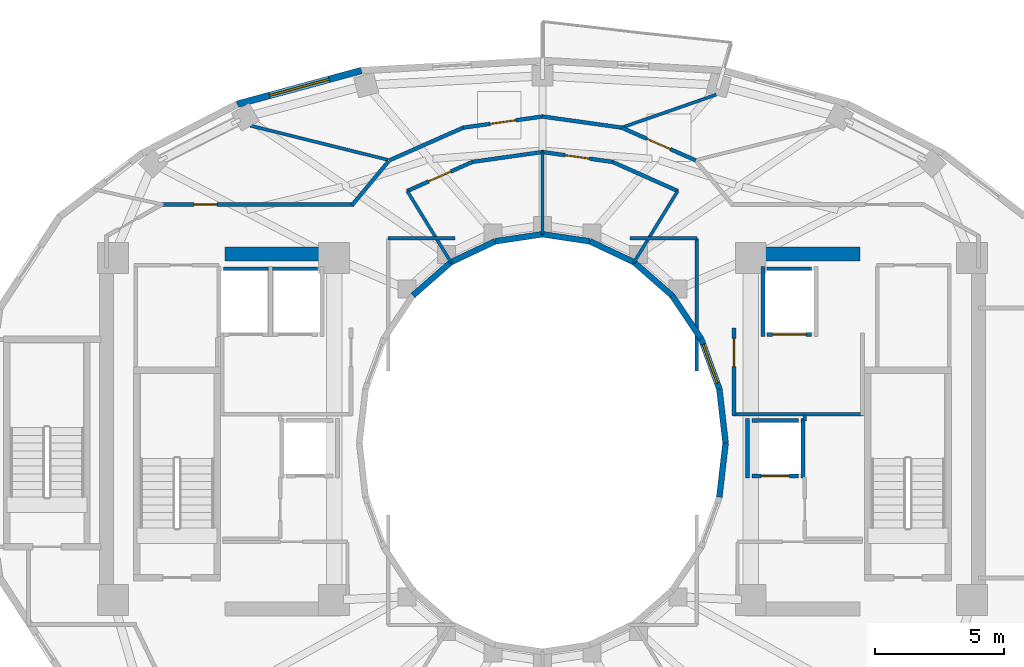
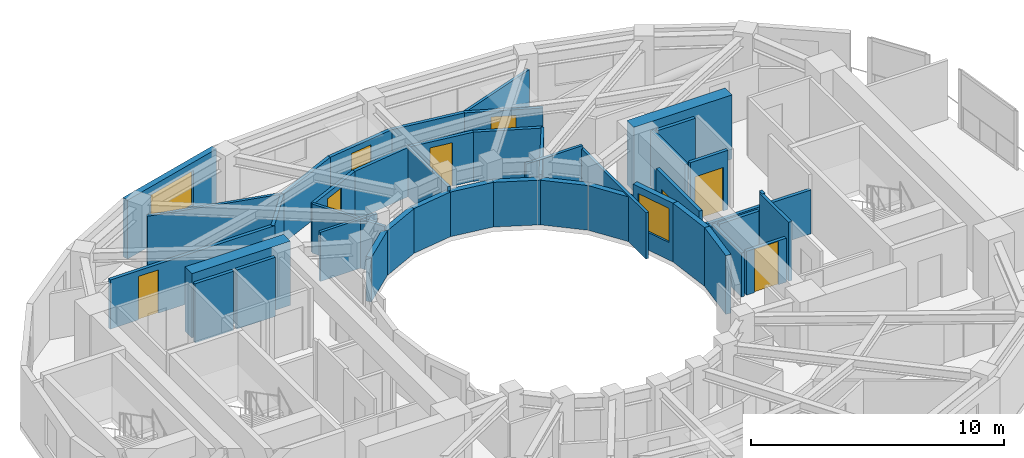
# One storey, part 8 of 12: 43 walls, 8 doors, 2 windows, 10 openings.
"""IFC4 building model written with IfcOpenShell, lengths in metres."""

import ifcopenshell
import ifcopenshell.guid

model = None  # the IFC model being written
_history = None  # IfcOwnerHistory: only IFC2X3 demands one
_inside = {}  # id of a spatial element -> (the spatial element, [elements in it])
_under = {}  # id of a project, library or spatial element -> (it, [spatial elements below it])
_declared = {}  # id of a project -> (the project, [libraries it declares])
_typed = {}  # id of a type object -> (the type object, [elements of that type])
_made_of = {}  # id of a material, layer set ... -> (it, [elements and type objects made of it])


def new_model(schema):
    """Start an empty IFC model of exactly this schema.

    Asked for "IFC4X3", IfcOpenShell would pick the latest addendum, in which some entities
    have other attributes; the version numbers below select the first issue.
    IFC2X3 requires an IfcOwnerHistory on every rooted entity: one is made here for all.
    """
    global model, _history
    if schema == "IFC4X3":
        model = ifcopenshell.file(schema_version=(4, 3, 0, 0))
    else:
        model = ifcopenshell.file(schema=schema)
    _inside.clear()
    _under.clear()
    _declared.clear()
    _typed.clear()
    _made_of.clear()
    _history = None
    if model.schema == "IFC2X3":
        org = make("IfcOrganization", Name="unknown")
        user = make(
            "IfcPersonAndOrganization",
            ThePerson=make("IfcPerson", FamilyName="unknown"),
            TheOrganization=org,
        )
        app = make(
            "IfcApplication",
            ApplicationDeveloper=org,
            Version="unknown",
            ApplicationFullName="unknown",
            ApplicationIdentifier="unknown",
        )
        _history = make(
            "IfcOwnerHistory",
            OwningUser=user,
            OwningApplication=app,
            ChangeAction="ADDED",
            CreationDate=0,
        )
    return model


def make(cls, **values):
    """One entity of the class cls with the attributes given. An attribute that is None is left unset."""
    return model.create_entity(
        cls, **{name: value for name, value in values.items() if value is not None}
    )


def rooted(cls, **values):
    """An entity with a GlobalId (a new one), such as an element, a storey or a relation."""
    return make(cls, GlobalId=ifcopenshell.guid.new(), OwnerHistory=_history, **values)


def si_unit(unit_type, name, prefix=None):
    """IfcSIUnit, for example si_unit("LENGTHUNIT", "METRE", prefix="MILLI")."""
    return make("IfcSIUnit", UnitType=unit_type, Prefix=prefix, Name=name)


def assignment(units):
    """IfcUnitAssignment: the units of a project."""
    return None if units is None else make("IfcUnitAssignment", Units=units)


def point(xyz):
    """IfcCartesianPoint."""
    return None if xyz is None else make("IfcCartesianPoint", Coordinates=xyz)


def direction(xyz):
    """IfcDirection."""
    return None if xyz is None else make("IfcDirection", DirectionRatios=xyz)


def frame(location, z_axis=None, x_axis=None):
    """IfcAxis2Placement3D, a coordinate frame: its origin and axes. An axis left out is left unset."""
    return make(
        "IfcAxis2Placement3D",
        Location=point(location),
        Axis=direction(z_axis),
        RefDirection=direction(x_axis),
    )


def frame_2d(location, x_axis=None):
    """IfcAxis2Placement2D, a coordinate frame in the plane: its origin and x axis."""
    return make(
        "IfcAxis2Placement2D", Location=point(location), RefDirection=direction(x_axis)
    )


def origin():
    """The frame at (0, 0, 0) with its axes left unset."""
    return frame((0.0, 0.0, 0.0))


def place(relative_to, where):
    """IfcLocalPlacement: puts the frame where relative to a parent placement (None: the world)."""
    return make(
        "IfcLocalPlacement", PlacementRelTo=relative_to, RelativePlacement=where
    )


def context(
    kind, dimensions, precision=None, world=None, true_north=None, identifier=None
):
    """IfcGeometricRepresentationContext, for example the 3D "Model" context."""
    return make(
        "IfcGeometricRepresentationContext",
        ContextIdentifier=identifier,
        ContextType=kind,
        CoordinateSpaceDimension=dimensions,
        Precision=precision,
        WorldCoordinateSystem=world,
        TrueNorth=true_north,
    )


def subcontext(parent, identifier, kind, view, scale=None):
    """IfcGeometricRepresentationSubContext, for example "Body" below "Model"."""
    return make(
        "IfcGeometricRepresentationSubContext",
        ContextIdentifier=identifier,
        ContextType=kind,
        ParentContext=parent,
        TargetScale=scale,
        TargetView=view,
    )


def project(units=None, contexts=None):
    """IfcProject with its units and contexts."""
    return rooted(
        "IfcProject",
        Name="project",
        RepresentationContexts=contexts,
        UnitsInContext=assignment(units),
    )


def spatial(cls, under=None, at=None, **own):
    """A site, building, storey or space (cls), placed at a placement, below another one or the project."""
    s = rooted(cls, ObjectPlacement=at, **own)
    if under is not None:
        _under.setdefault(under.id(), (under, []))[1].append(s)
    return s


def profile(cls, at=None, kind="AREA", **sizes):
    """A parametric profile (cls). Its sizes go by their IFC names, for example OverallWidth=200.0."""
    return make(cls, ProfileType=kind, Position=at, **sizes)


def rectangle(**sizes):
    """IfcRectangleProfileDef."""
    return profile("IfcRectangleProfileDef", **sizes)


def extrude(swept, where, along, depth):
    """IfcExtrudedAreaSolid: the profile swept, set in the frame where, extruded along a direction by depth."""
    return make(
        "IfcExtrudedAreaSolid",
        SweptArea=swept,
        Position=where,
        ExtrudedDirection=direction(along),
        Depth=depth,
    )


def shape(context_of_items, identifier, shape_type, items):
    """IfcShapeRepresentation: the items that make up one representation, for example the "Body"."""
    return make(
        "IfcShapeRepresentation",
        ContextOfItems=context_of_items,
        RepresentationIdentifier=identifier,
        RepresentationType=shape_type,
        Items=items,
    )


def material(Name=None, Category=None):
    """IfcMaterial."""
    return make("IfcMaterial", Name=Name, Category=Category)


def layer(
    of_material, thickness, ventilated=None, Name=None, Category=None, Priority=None
):
    """IfcMaterialLayer: one layer of a wall or slab, of a material (None: an air gap)."""
    return make(
        "IfcMaterialLayer",
        Material=of_material,
        LayerThickness=thickness,
        IsVentilated=ventilated,
        Name=Name,
        Category=Category,
        Priority=Priority,
    )


def layer_set(layers, Name=None):
    """IfcMaterialLayerSet."""
    return make("IfcMaterialLayerSet", MaterialLayers=layers, LayerSetName=Name)


def made_of(thing, what):
    """Note that an element or type object is made of a material, layer set ...; save() writes the relation."""
    if what is not None:
        _made_of.setdefault(what.id(), (what, []))[1].append(thing)
    return thing


def type_object(cls, material=None, **own):
    """A type object (cls), such as IfcWallType, which elements share."""
    return made_of(rooted(cls, **own), material)


def element(
    cls,
    number,
    at=None,
    inside=None,
    cuts=None,
    type_object=None,
    material=None,
    context=None,
    identifier="Body",
    shape_type=None,
    held_by="IfcProductDefinitionShape",
    body=None,
    shapes=None,
    **own,
):
    """One element of the class cls, such as IfcWall. Its Tag is "e" and its number.

    at: its placement. inside: the storey or other place that contains it. cuts: it is an
    opening in that element (IfcRelVoidsElement). A single representation is given by context,
    identifier, shape_type and body (its items); several are given by shapes. held_by: the class
    of the entity that holds the representations. save() writes the other relations.
    """
    e = rooted(cls, Tag="e%d" % number, ObjectPlacement=at, **own)
    if body is not None:
        shapes = [shape(context, identifier, shape_type, body)]
    if shapes is not None:
        e.Representation = make(held_by, Representations=shapes)
    if inside is not None:
        _inside.setdefault(inside.id(), (inside, []))[1].append(e)
    if cuts is not None:
        rooted(
            "IfcRelVoidsElement", RelatingBuildingElement=cuts, RelatedOpeningElement=e
        )
    if type_object is not None:
        _typed.setdefault(type_object.id(), (type_object, []))[1].append(e)
    return made_of(e, material)


def fill(opening, filler):
    """IfcRelFillsElement: the door or window that sits in an opening."""
    return rooted(
        "IfcRelFillsElement",
        RelatingOpeningElement=opening,
        RelatedBuildingElement=filler,
    )


def aggregate(whole, parts):
    """IfcRelAggregates: a whole, such as a stair, and the parts it consists of."""
    return rooted("IfcRelAggregates", RelatingObject=whole, RelatedObjects=parts)


def save(model, path):
    """Write the relations noted so far, then the file.

    IfcRelAggregates (storeys below a building ...), IfcRelContainedInSpatialStructure (elements
    in a storey), IfcRelDefinesByType, IfcRelAssociatesMaterial and IfcRelDeclares: one each for
    every whole, place, type object, material and project.
    """
    for whole, parts in _under.values():
        aggregate(whole, parts)
    for where, things in _inside.values():
        rooted(
            "IfcRelContainedInSpatialStructure",
            RelatedElements=things,
            RelatingStructure=where,
        )
    for kind, things in _typed.values():
        rooted("IfcRelDefinesByType", RelatedObjects=things, RelatingType=kind)
    for what, things in _made_of.values():
        rooted("IfcRelAssociatesMaterial", RelatedObjects=things, RelatingMaterial=what)
    for by, libraries in _declared.values():
        rooted("IfcRelDeclares", RelatingContext=by, RelatedDefinitions=libraries)
    model.write(path)


model = new_model("IFC4")

# Units and contexts
model_context = context("Model", 3, precision=1e-05, world=origin(), true_north=direction((0.0, 1.0)))
body_context = subcontext(model_context, "Body", "Model", "MODEL_VIEW")
ifc_project = project(units=[si_unit("LENGTHUNIT", "METRE"), si_unit("AREAUNIT", "SQUARE_METRE"), si_unit("VOLUMEUNIT", "CUBIC_METRE"), si_unit("PLANEANGLEUNIT", "RADIAN"), si_unit("MASSUNIT", "GRAM", prefix="KILO")], contexts=[model_context])

# Site, building, storey
site_placement = place(None, origin())
site = spatial("IfcSite", under=ifc_project, at=site_placement, CompositionType="ELEMENT")
building_placement = place(site_placement, origin())
building = spatial("IfcBuilding", under=site, at=building_placement, Name="Solvane Sanctuary Tower", CompositionType="ELEMENT")
storey_placement = place(building_placement, frame((0.0, 0.0, 214.0)))
storey = spatial("IfcBuildingStorey", under=building, at=storey_placement, Name="L65", CompositionType="ELEMENT", Elevation=214.0)

# Walls
ifc_material_1 = material(Name="Concrete C50/60", Category="concrete")
ifc_layer_1 = layer(ifc_material_1, 0.550048828125, Name="Concrete C50/60")
ifc_layer_set_1 = layer_set([ifc_layer_1], Name="Concrete C50/60")
wall_type_1 = type_object("IfcWallType", Name="Wall W-CORE-550", PredefinedType="SHEAR", material=ifc_layer_set_1)
for number, where, z_axis, x_axis, name in (
    (1, (19.64990234375, 30.35009765625, 0.0), (0.0, 0.0, 1.0), (1.0, 0.0, 0.0), "L65 Core Shear Wall WC-N"),
    (2, (39.85009765625, 30.35009765625, 0.0), (0.0, 0.0, 1.0), (1.0, 0.0, 0.0), "L65 Core Shear Wall EC-N"),
):
    element("IfcWall", number, at=place(storey_placement, frame(where, z_axis=z_axis, x_axis=x_axis)), inside=storey, type_object=wall_type_1, Name=name, PredefinedType="SHEAR", context=body_context, shape_type="SweptSolid", body=[
        extrude(rectangle(XDim=4.5, YDim=0.550048828125, at=frame_2d((2.25, 0.0))), origin(), (0.0, 0.0, 1.0), 3.10009765625),
    ])
ifc_material_2 = material(Name="Acoustic Gypsum Partition Board")
ifc_layer_2 = layer(ifc_material_2, 0.14990234375, Name="Acoustic Gypsum Partition Board")
ifc_layer_set_2 = layer_set([ifc_layer_2], Name="Acoustic Gypsum Partition Board")
wall_type_2 = type_object("IfcWallType", Name="Wall W-CORR-150", PredefinedType="PARTITIONING", material=ifc_layer_set_2)
wall_1_placement = place(storey_placement, frame((39.39990234375, 24.1201171875, 0.0), z_axis=(0.0, 0.0, 1.0), x_axis=(1.0, 0.0, 0.0)))
element("IfcWall", 3, at=wall_1_placement, inside=storey, type_object=wall_type_2, Name="L65 East Firefighting Lobby South Wall", PredefinedType="PARTITIONING", context=body_context, shape_type="SweptSolid", body=[
    extrude(rectangle(XDim=5.080078125, YDim=0.14990234375, at=frame_2d((2.5400390625, 0.0))), origin(), (0.0, 0.0, 1.0), 2.1201171875),
])

# Wall, opening, door
wall_2_placement = place(storey_placement, frame((39.449951171875, 24.080078125, 0.0), z_axis=(0.0, 0.0, 1.0), x_axis=(0.0, 1.0, 0.0)))
wall_2 = element("IfcWall", 4, at=wall_2_placement, inside=storey, type_object=wall_type_2, Name="L65 East Firefighting Lobby West Wall", PredefinedType="PARTITIONING", context=body_context, shape_type="SweptSolid", body=[
    extrude(rectangle(XDim=3.39990234375, YDim=0.14990234375, at=frame_2d((1.699951171875, 0.0))), origin(), (0.0, 0.0, 1.0), 2.85498046875),
])
opening_1_placement = place(wall_2_placement, frame((1.893798828125, 0.0, 0.0)))
opening_1 = element("IfcOpeningElement", 5, at=opening_1_placement, cuts=wall_2, Name="Opening D-L65-07", PredefinedType="OPENING", context=body_context, shape_type="SweptSolid", body=[
    extrude(rectangle(XDim=1.10009765625, YDim=2.10009765625, at=frame_2d((0.550048828125, 1.050048828125))), frame((0.0, 0.0849609375, 0.0), z_axis=(0.0, -1.0, 0.0), x_axis=(1.0, 0.0, 0.0)), (0.0, 0.0, 1.0), 0.169921875),
])
ifc_material_3 = material(Name="Architectural Stainless Steel 316", Category="steel")
door_type_1 = type_object("IfcDoorType", Name="Door D-FFL", OperationType="NOTDEFINED", PredefinedType="DOOR", material=ifc_material_3)
door_1_placement = place(opening_1_placement, origin())
door_1 = element("IfcDoor", 6, at=door_1_placement, inside=storey, type_object=door_type_1, Name="L65 East Firefighting Lobby Fire Door", OperationType="SINGLE_SWING_LEFT", OverallHeight=2.10009765625, OverallWidth=1.10009765625, PredefinedType="DOOR", context=body_context, shape_type="SweptSolid", body=[
    extrude(rectangle(XDim=1.10009765625, YDim=2.10009765625, at=frame_2d((0.550048828125, 1.050048828125))), frame((0.0, 0.02490234375, 0.0), z_axis=(0.0, -1.0, 0.0), x_axis=(1.0, 0.0, 0.0)), (0.0, 0.0, 1.0), 0.050048828125),
])
fill(opening_1, door_1)

# Wall
wall_3_placement = place(storey_placement, frame((37.265380859375, 32.797607421875, 0.0), z_axis=(0.0, 0.0, 1.0), x_axis=(-0.913254317828, 0.407389924971, 0.0)))
element("IfcWall", 7, at=wall_3_placement, inside=storey, type_object=wall_type_2, Name="L65 Light-Well Alcove Corridor Wall 1", PredefinedType="PARTITIONING", context=body_context, shape_type="SweptSolid", body=[
    extrude(rectangle(XDim=2.78662109375, YDim=0.14990234375, at=frame_2d((1.393310546875, 0.0))), origin(), (0.0, 0.0, 1.0), 2.3759765625),
])

# Wall, opening, door
wall_4_placement = place(storey_placement, frame((34.72412109375, 33.931884765625, 0.0), z_axis=(0.0, 0.0, 1.0), x_axis=(-0.990150268487, 0.140008734782, 0.0)))
wall_4 = element("IfcWall", 8, at=wall_4_placement, inside=storey, type_object=wall_type_2, Name="L65 Light-Well Alcove Corridor Wall 1", PredefinedType="PARTITIONING", context=body_context, shape_type="SweptSolid", body=[
    extrude(rectangle(XDim=2.758544921875, YDim=0.14990234375, at=frame_2d((1.37939453125, 0.0))), origin(), (0.0, 0.0, 1.0), 2.3759765625),
])
opening_2_placement = place(wall_4_placement, frame((0.904296875, 0.0, 0.0)))
opening_2 = element("IfcOpeningElement", 9, at=opening_2_placement, cuts=wall_4, Name="Opening D-L65-14", PredefinedType="OPENING", context=body_context, shape_type="SweptSolid", body=[
    extrude(rectangle(XDim=0.949951171875, YDim=2.10009765625, at=frame_2d((0.47509765625, 1.050048828125))), frame((0.0, 0.0849609375, 0.0), z_axis=(0.0, -1.0, 0.0), x_axis=(1.0, 0.0, 0.0)), (0.0, 0.0, 1.0), 0.169921875),
])
ifc_material_4 = material(Name="Engineered Tropical Hardwood", Category="wood")
door_type_2 = type_object("IfcDoorType", Name="Door D-ROOM-950", OperationType="NOTDEFINED", PredefinedType="DOOR", material=ifc_material_4)
door_2_placement = place(opening_2_placement, origin())
door_2 = element("IfcDoor", 10, at=door_2_placement, inside=storey, type_object=door_type_2, Name="L65 Light-Well Alcove Door 1", OperationType="SINGLE_SWING_RIGHT", OverallHeight=2.10009765625, OverallWidth=0.949951171875, PredefinedType="DOOR", context=body_context, shape_type="SweptSolid", body=[
    extrude(rectangle(XDim=0.949951171875, YDim=2.10009765625, at=frame_2d((0.47509765625, 1.050048828125))), frame((0.0, 0.02490234375, 0.0), z_axis=(0.0, -1.0, 0.0), x_axis=(1.0, 0.0, 0.0)), (0.0, 0.0, 1.0), 0.050048828125),
])
fill(opening_2, door_2)

# Wall
wall_5_placement = place(storey_placement, frame((32.00732421875, 34.318115234375, 0.0), z_axis=(0.0, 0.0, 1.0), x_axis=(-0.990150268487, -0.140008734782, 0.0)))
element("IfcWall", 11, at=wall_5_placement, inside=storey, type_object=wall_type_2, Name="L65 Light-Well Alcove Corridor Wall 2", PredefinedType="PARTITIONING", context=body_context, shape_type="SweptSolid", body=[
    extrude(rectangle(XDim=2.758544921875, YDim=0.14990234375, at=frame_2d((1.37939453125, 0.0))), origin(), (0.0, 0.0, 1.0), 2.3759765625),
])

# Wall, opening, door
wall_6_placement = place(storey_placement, frame((29.279541015625, 33.932861328125, 0.0), z_axis=(0.0, 0.0, 1.0), x_axis=(-0.913254317828, -0.407389924971, 0.0)))
wall_6 = element("IfcWall", 12, at=wall_6_placement, inside=storey, type_object=wall_type_2, Name="L65 Light-Well Alcove Corridor Wall 2", PredefinedType="PARTITIONING", context=body_context, shape_type="SweptSolid", body=[
    extrude(rectangle(XDim=2.78662109375, YDim=0.14990234375, at=frame_2d((1.393310546875, 0.0))), origin(), (0.0, 0.0, 1.0), 2.3759765625),
])
opening_3_placement = place(wall_6_placement, frame((0.918212890625, 0.0, 0.0)))
opening_3 = element("IfcOpeningElement", 13, at=opening_3_placement, cuts=wall_6, Name="Opening D-L65-15", PredefinedType="OPENING", context=body_context, shape_type="SweptSolid", body=[
    extrude(rectangle(XDim=0.949951171875, YDim=2.10009765625, at=frame_2d((0.47509765625, 1.050048828125))), frame((0.0, 0.0849609375, 0.0), z_axis=(0.0, -1.0, 0.0), x_axis=(1.0, 0.0, 0.0)), (0.0, 0.0, 1.0), 0.169921875),
])
door_3_placement = place(opening_3_placement, origin())
door_3 = element("IfcDoor", 14, at=door_3_placement, inside=storey, type_object=door_type_2, Name="L65 Light-Well Alcove Door 2", OperationType="SINGLE_SWING_LEFT", OverallHeight=2.10009765625, OverallWidth=0.949951171875, PredefinedType="DOOR", context=body_context, shape_type="SweptSolid", body=[
    extrude(rectangle(XDim=0.949951171875, YDim=2.10009765625, at=frame_2d((0.47509765625, 1.050048828125))), frame((0.0, 0.02490234375, 0.0), z_axis=(0.0, -1.0, 0.0), x_axis=(1.0, 0.0, 0.0)), (0.0, 0.0, 1.0), 0.050048828125),
])
fill(opening_3, door_3)

# Wall
wall_7_placement = place(storey_placement, frame((26.015869140625, 33.95458984375, 0.0), z_axis=(0.0, 0.0, 1.0), x_axis=(-0.64030392053, -0.76812166312, 0.0)))
element("IfcWall", 15, at=wall_7_placement, inside=storey, type_object=wall_type_2, Name="L65 NW Corner Throat Wall", PredefinedType="PARTITIONING", context=body_context, shape_type="SweptSolid", body=[
    extrude(rectangle(XDim=2.2099609375, YDim=0.14990234375, at=frame_2d((1.10498046875, 0.0))), origin(), (0.0, 0.0, 1.0), 2.3759765625),
])

# Wall, opening, door
wall_8_placement = place(storey_placement, frame((17.14990234375, 32.280029296875, 0.0), z_axis=(0.0, 0.0, 1.0), x_axis=(1.0, 0.0, 0.0)))
wall_8 = element("IfcWall", 16, at=wall_8_placement, inside=storey, type_object=wall_type_2, Name="L65 NW Corner Corridor Wall", PredefinedType="PARTITIONING", context=body_context, shape_type="SweptSolid", body=[
    extrude(rectangle(XDim=7.52001953125, YDim=0.14990234375, at=frame_2d((3.760009765625, 0.0))), origin(), (0.0, 0.0, 1.0), 2.3759765625),
])
opening_4_placement = place(wall_8_placement, frame((1.300048828125, 0.0, 0.0)))
opening_4 = element("IfcOpeningElement", 17, at=opening_4_placement, cuts=wall_8, Name="Opening D-L65-20", PredefinedType="OPENING", context=body_context, shape_type="SweptSolid", body=[
    extrude(rectangle(XDim=0.89990234375, YDim=2.10009765625, at=frame_2d((0.449951171875, 1.050048828125))), frame((0.0, 0.0849609375, 0.0), z_axis=(0.0, -1.0, 0.0), x_axis=(1.0, 0.0, 0.0)), (0.0, 0.0, 1.0), 0.169921875),
])
door_type_3 = type_object("IfcDoorType", Name="Door D-WET-900", OperationType="NOTDEFINED", PredefinedType="DOOR", material=ifc_material_4)
door_4_placement = place(opening_4_placement, origin())
door_4 = element("IfcDoor", 18, at=door_4_placement, inside=storey, type_object=door_type_3, Name="L65 NW Corner Salon Door", OperationType="SINGLE_SWING_RIGHT", OverallHeight=2.10009765625, OverallWidth=0.89990234375, PredefinedType="DOOR", context=body_context, shape_type="SweptSolid", body=[
    extrude(rectangle(XDim=0.89990234375, YDim=2.10009765625, at=frame_2d((0.449951171875, 1.050048828125))), frame((0.0, 0.02490234375, 0.0), z_axis=(0.0, -1.0, 0.0), x_axis=(1.0, 0.0, 0.0)), (0.0, 0.0, 1.0), 0.050048828125),
])
fill(opening_4, door_4)

wall_9_placement = place(storey_placement, frame((37.956298828125, 33.992431640625, 0.0), z_axis=(0.0, 0.0, 1.0), x_axis=(-0.914642679993, 0.404263240891, 0.0)))
wall_9 = element("IfcWall", 19, at=wall_9_placement, inside=storey, type_object=wall_type_2, Name="L65 Unit Corridor Wall N1", PredefinedType="PARTITIONING", context=body_context, shape_type="SweptSolid", body=[
    extrude(rectangle(XDim=3.154296875, YDim=0.14990234375, at=frame_2d((1.5771484375, 0.0))), origin(), (0.0, 0.0, 1.0), 2.3759765625),
])
opening_5_placement = place(wall_9_placement, frame((1.076904296875, 0.0, 0.0)))
opening_5 = element("IfcOpeningElement", 20, at=opening_5_placement, cuts=wall_9, Name="Opening D-L65-24", PredefinedType="OPENING", context=body_context, shape_type="SweptSolid", body=[
    extrude(rectangle(XDim=1.0, YDim=2.10009765625, at=frame_2d((0.5, 1.050048828125))), frame((0.0, 0.0849609375, 0.0), z_axis=(0.0, -1.0, 0.0), x_axis=(1.0, 0.0, 0.0)), (0.0, 0.0, 1.0), 0.169921875),
])
door_type_4 = type_object("IfcDoorType", Name="Door D-UNIT", OperationType="NOTDEFINED", PredefinedType="DOOR", material=ifc_material_4)
door_5_placement = place(opening_5_placement, origin())
door_5 = element("IfcDoor", 21, at=door_5_placement, inside=storey, type_object=door_type_4, Name="L65 Unit Entrance Door N1", OperationType="SINGLE_SWING_RIGHT", OverallHeight=2.10009765625, OverallWidth=1.0, PredefinedType="DOOR", context=body_context, shape_type="SweptSolid", body=[
    extrude(rectangle(XDim=1.0, YDim=2.10009765625, at=frame_2d((0.5, 1.050048828125))), frame((0.0, 0.02490234375, 0.0), z_axis=(0.0, -1.0, 0.0), x_axis=(1.0, 0.0, 0.0)), (0.0, 0.0, 1.0), 0.050048828125),
])
fill(opening_5, door_5)

# Wall
wall_10_placement = place(storey_placement, frame((35.08740234375, 35.262939453125, 0.0), z_axis=(0.0, 0.0, 1.0), x_axis=(-0.990268690673, 0.139168675614, 0.0)))
element("IfcWall", 22, at=wall_10_placement, inside=storey, type_object=wall_type_2, Name="L65 Unit Corridor Wall N2", PredefinedType="PARTITIONING", context=body_context, shape_type="SweptSolid", body=[
    extrude(rectangle(XDim=3.126220703125, YDim=0.14990234375, at=frame_2d((1.56298828125, 0.0))), origin(), (0.0, 0.0, 1.0), 2.3759765625),
])

# Wall, opening, door
wall_11_placement = place(storey_placement, frame((32.00830078125, 35.697998046875, 0.0), z_axis=(0.0, 0.0, 1.0), x_axis=(-0.990268690673, -0.139168675614, 0.0)))
wall_11 = element("IfcWall", 23, at=wall_11_placement, inside=storey, type_object=wall_type_2, Name="L65 Unit Corridor Wall N2", PredefinedType="PARTITIONING", context=body_context, shape_type="SweptSolid", body=[
    extrude(rectangle(XDim=3.126220703125, YDim=0.14990234375, at=frame_2d((1.56298828125, 0.0))), origin(), (0.0, 0.0, 1.0), 2.3759765625),
])
opening_6_placement = place(wall_11_placement, frame((1.06298828125, 0.0, 0.0)))
opening_6 = element("IfcOpeningElement", 24, at=opening_6_placement, cuts=wall_11, Name="Opening D-L65-25", PredefinedType="OPENING", context=body_context, shape_type="SweptSolid", body=[
    extrude(rectangle(XDim=1.0, YDim=2.10009765625, at=frame_2d((0.5, 1.050048828125))), frame((0.0, 0.0849609375, 0.0), z_axis=(0.0, -1.0, 0.0), x_axis=(1.0, 0.0, 0.0)), (0.0, 0.0, 1.0), 0.169921875),
])
door_6_placement = place(opening_6_placement, origin())
door_6 = element("IfcDoor", 25, at=door_6_placement, inside=storey, type_object=door_type_4, Name="L65 Unit Entrance Door N2", OperationType="SINGLE_SWING_LEFT", OverallHeight=2.10009765625, OverallWidth=1.0, PredefinedType="DOOR", context=body_context, shape_type="SweptSolid", body=[
    extrude(rectangle(XDim=1.0, YDim=2.10009765625, at=frame_2d((0.5, 1.050048828125))), frame((0.0, 0.02490234375, 0.0), z_axis=(0.0, -1.0, 0.0), x_axis=(1.0, 0.0, 0.0)), (0.0, 0.0, 1.0), 0.050048828125),
])
fill(opening_6, door_6)

# Wall
wall_12_placement = place(storey_placement, frame((28.9287109375, 35.267578125, 0.0), z_axis=(0.0, 0.0, 1.0), x_axis=(-0.914642679993, -0.404263240891, 0.0)))
element("IfcWall", 26, at=wall_12_placement, inside=storey, type_object=wall_type_2, Name="L65 Unit Corridor Wall N2", PredefinedType="PARTITIONING", context=body_context, shape_type="SweptSolid", body=[
    extrude(rectangle(XDim=3.154296875, YDim=0.14990234375, at=frame_2d((1.5771484375, 0.0))), origin(), (0.0, 0.0, 1.0), 2.3759765625),
])

# Wall, opening, window
ifc_material_5 = material(Name="Precast concrete C40/50", Category="concrete")
ifc_layer_3 = layer(ifc_material_5, 0.260009765625, Name="Precast concrete C40/50")
ifc_layer_set_3 = layer_set([ifc_layer_3], Name="Precast concrete C40/50")
wall_type_3 = type_object("IfcWallType", Name="Wall W-EXT-250", PredefinedType="STANDARD", material=ifc_layer_set_3)
wall_13_placement = place(storey_placement, frame((24.95703125, 37.484619140625, 0.0), z_axis=(0.0, 0.0, 1.0), x_axis=(-0.965213026382, -0.261464746576, 0.0)))
wall_13 = element("IfcWall", 27, at=wall_13_placement, inside=storey, type_object=wall_type_3, Name="L65 Ceramic-Printed Facade Wall 07", PredefinedType="STANDARD", context=body_context, shape_type="SweptSolid", body=[
    extrude(rectangle(XDim=5.001220703125, YDim=0.260009765625, at=frame_2d((2.50048828125, 0.0))), origin(), (0.0, 0.0, 1.0), 2.85009765625),
])
opening_7_placement = place(wall_13_placement, frame((1.300537109375, 0.0, 0.75)))
opening_7 = element("IfcOpeningElement", 28, at=opening_7_placement, cuts=wall_13, Name="Opening WN-RIB-2400", PredefinedType="OPENING", context=body_context, shape_type="SweptSolid", body=[
    extrude(rectangle(XDim=2.39990234375, YDim=1.699951171875, at=frame_2d((1.199951171875, 0.85009765625))), frame((0.0, 0.139892578125, 0.0), z_axis=(0.0, -1.0, 0.0), x_axis=(1.0, 0.0, 0.0)), (0.0, 0.0, 1.0), 0.280029296875),
])
ifc_material_6 = material(Name="Dark Ceramic-Fritted Low-E Glass", Category="glass")
window_type_1 = type_object("IfcWindowType", Name="Window WN-RIB-2400", PartitioningType="SINGLE_PANEL", PredefinedType="WINDOW", material=ifc_material_6)
window_1_placement = place(opening_7_placement, origin())
window_1 = element("IfcWindow", 29, at=window_1_placement, inside=storey, type_object=window_type_1, Name="L65 Operable Facade Window 07", OverallHeight=1.699951171875, OverallWidth=2.39990234375, PartitioningType="SINGLE_PANEL", PredefinedType="WINDOW", context=body_context, shape_type="SweptSolid", body=[
    extrude(rectangle(XDim=2.39990234375, YDim=1.699951171875, at=frame_2d((1.199951171875, 0.85009765625))), frame((0.0, 0.030029296875, 0.0), z_axis=(0.0, -1.0, 0.0), x_axis=(1.0, 0.0, 0.0)), (0.0, 0.0, 1.0), 0.06005859375),
])
fill(opening_7, window_1)

# Wall
ifc_layer_4 = layer(ifc_material_5, 0.22998046875, Name="Precast concrete C40/50")
ifc_layer_set_4 = layer_set([ifc_layer_4], Name="Precast concrete C40/50")
wall_type_4 = type_object("IfcWallType", Name="Wall W-EXT-SP220", PredefinedType="STANDARD", material=ifc_layer_set_4)
wall_14_placement = place(storey_placement, frame((39.1201171875, 23.0, 0.0), z_axis=(0.0, 0.0, 1.0), x_axis=(-0.114711713601, 0.993398823617, 0.0)))
element("IfcWall", 30, at=wall_14_placement, inside=storey, type_object=wall_type_4, Name="L65 Central Light-Well Wall 00", PredefinedType="STANDARD", context=body_context, shape_type="SweptSolid", body=[
    extrude(rectangle(XDim=2.115478515625, YDim=0.22998046875, at=frame_2d((1.0576171875, 0.0))), origin(), (0.0, 0.0, 1.0), 2.840087890625),
])

# Wall, opening, window
wall_15_placement = place(storey_placement, frame((38.87744140625, 25.1015625, 0.0), z_axis=(0.0, 0.0, 1.0), x_axis=(-0.341423187295, 0.93990968033, 0.0)))
wall_15 = element("IfcWall", 31, at=wall_15_placement, inside=storey, type_object=wall_type_4, Name="L65 Central Light-Well Wall 01", PredefinedType="STANDARD", context=body_context, shape_type="SweptSolid", body=[
    extrude(rectangle(XDim=2.083740234375, YDim=0.22998046875, at=frame_2d((1.0419921875, 0.0))), origin(), (0.0, 0.0, 1.0), 2.840087890625),
])
opening_8_placement = place(wall_15_placement, frame((0.24169921875, 0.0, 0.85009765625)))
opening_8 = element("IfcOpeningElement", 32, at=opening_8_placement, cuts=wall_15, Name="Opening WN-WELL-1600", PredefinedType="OPENING", context=body_context, shape_type="SweptSolid", body=[
    extrude(rectangle(XDim=1.60009765625, YDim=1.64990234375, at=frame_2d((0.800048828125, 0.824951171875))), frame((0.0, 0.125, 0.0), z_axis=(0.0, -1.0, 0.0), x_axis=(1.0, 0.0, 0.0)), (0.0, 0.0, 1.0), 0.25),
])
ifc_material_7 = material(Name="Clear Laminated Light-Well Glass", Category="glass")
window_type_2 = type_object("IfcWindowType", Name="Window WN-WELL-1600", PartitioningType="SINGLE_PANEL", PredefinedType="WINDOW", material=ifc_material_7)
window_2_placement = place(opening_8_placement, origin())
window_2 = element("IfcWindow", 33, at=window_2_placement, inside=storey, type_object=window_type_2, Name="L65 Light-Well Daylight Window 01", OverallHeight=1.64990234375, OverallWidth=1.60009765625, PartitioningType="SINGLE_PANEL", PredefinedType="WINDOW", context=body_context, shape_type="SweptSolid", body=[
    extrude(rectangle(XDim=1.60009765625, YDim=1.64990234375, at=frame_2d((0.800048828125, 0.824951171875))), frame((0.0, 0.030029296875, 0.0), z_axis=(0.0, -1.0, 0.0), x_axis=(1.0, 0.0, 0.0)), (0.0, 0.0, 1.0), 0.06005859375),
])
fill(opening_8, window_2)

# Walls
wall_16_placement = place(storey_placement, frame((38.166015625, 27.06005859375, 0.0), z_axis=(0.0, 0.0, 1.0), x_axis=(-0.558197800898, 0.829707909492, 0.0)))
element("IfcWall", 34, at=wall_16_placement, inside=storey, type_object=wall_type_4, Name="L65 Central Light-Well Wall 02", PredefinedType="STANDARD", context=body_context, shape_type="SweptSolid", body=[
    extrude(rectangle(XDim=2.02685546875, YDim=0.22998046875, at=frame_2d((1.013427734375, 0.0))), origin(), (0.0, 0.0, 1.0), 2.159912109375),
])
wall_17_placement = place(storey_placement, frame((37.03466796875, 28.74169921875, 0.0), z_axis=(0.0, 0.0, 1.0), x_axis=(-0.752576694707, 0.658504607869, 0.0)))
element("IfcWall", 35, at=wall_17_placement, inside=storey, type_object=wall_type_4, Name="L65 Central Light-Well Wall 03", PredefinedType="STANDARD", context=body_context, shape_type="SweptSolid", body=[
    extrude(rectangle(XDim=1.95947265625, YDim=0.22998046875, at=frame_2d((0.979736328125, 0.0))), origin(), (0.0, 0.0, 1.0), 2.159912109375),
])
wall_18_placement = place(storey_placement, frame((35.56005859375, 30.031982421875, 0.0), z_axis=(0.0, 0.0, 1.0), x_axis=(-0.904179699603, 0.427152280606, 0.0)))
element("IfcWall", 36, at=wall_18_placement, inside=storey, type_object=wall_type_4, Name="L65 Central Light-Well Wall 04", PredefinedType="STANDARD", context=body_context, shape_type="SweptSolid", body=[
    extrude(rectangle(XDim=1.899169921875, YDim=0.22998046875, at=frame_2d((0.94970703125, 0.0))), origin(), (0.0, 0.0, 1.0), 2.159912109375),
])
for number, where, z_axis, x_axis, name in (
    (37, (33.8427734375, 30.84326171875, 0.0), (0.0, 0.0, 1.0), (-0.988901730308, 0.148571086668, 0.0), "L65 Central Light-Well Wall 05"),
    (38, (32.0, 31.1201171875, 0.0), (0.0, 0.0, 1.0), (-0.988901730308, -0.148571086668, 0.0), "L65 Central Light-Well Wall 06"),
):
    element("IfcWall", number, at=place(storey_placement, frame(where, z_axis=z_axis, x_axis=x_axis)), inside=storey, type_object=wall_type_4, Name=name, PredefinedType="STANDARD", context=body_context, shape_type="SweptSolid", body=[
        extrude(rectangle(XDim=1.863525390625, YDim=0.22998046875, at=frame_2d((0.931640625, 0.0))), origin(), (0.0, 0.0, 1.0), 2.159912109375),
    ])
wall_19_placement = place(storey_placement, frame((30.1572265625, 30.84326171875, 0.0), z_axis=(0.0, 0.0, 1.0), x_axis=(-0.904179699603, -0.427152280606, 0.0)))
element("IfcWall", 39, at=wall_19_placement, inside=storey, type_object=wall_type_4, Name="L65 Central Light-Well Wall 07", PredefinedType="STANDARD", context=body_context, shape_type="SweptSolid", body=[
    extrude(rectangle(XDim=1.899169921875, YDim=0.22998046875, at=frame_2d((0.94970703125, 0.0))), origin(), (0.0, 0.0, 1.0), 2.159912109375),
])
wall_20_placement = place(storey_placement, frame((28.43994140625, 30.031982421875, 0.0), z_axis=(0.0, 0.0, 1.0), x_axis=(-0.752576694707, -0.658504607869, 0.0)))
element("IfcWall", 40, at=wall_20_placement, inside=storey, type_object=wall_type_4, Name="L65 Central Light-Well Wall 08", PredefinedType="STANDARD", context=body_context, shape_type="SweptSolid", body=[
    extrude(rectangle(XDim=1.95947265625, YDim=0.22998046875, at=frame_2d((0.979736328125, 0.0))), origin(), (0.0, 0.0, 1.0), 2.159912109375),
])
wall_21_placement = place(storey_placement, frame((38.87744140625, 20.8984375, 0.0), z_axis=(0.0, 0.0, 1.0), x_axis=(0.114711713601, 0.993398823617, 0.0)))
element("IfcWall", 41, at=wall_21_placement, inside=storey, type_object=wall_type_4, Name="L65 Central Light-Well Wall 23", PredefinedType="STANDARD", context=body_context, shape_type="SweptSolid", body=[
    extrude(rectangle(XDim=2.115478515625, YDim=0.22998046875, at=frame_2d((1.0576171875, 0.0))), origin(), (0.0, 0.0, 1.0), 2.840087890625),
])
ifc_layer_5 = layer(ifc_material_2, 0.125, Name="Acoustic Gypsum Partition Board")
ifc_layer_set_5 = layer_set([ifc_layer_5], Name="Acoustic Gypsum Partition Board")
wall_type_5 = type_object("IfcWallType", Name="Wall W-PART-125", PredefinedType="PARTITIONING", material=ifc_layer_set_5)
wall_22_placement = place(storey_placement, frame((42.199951171875, 23.85009765625, 0.0), z_axis=(0.0, 0.0, 1.0), x_axis=(0.0, 1.0, 0.0)))
element("IfcWall", 42, at=wall_22_placement, inside=storey, type_object=wall_type_5, Name="L65 Reclaimed Room Dividing Wall PME", PredefinedType="PARTITIONING", context=body_context, shape_type="SweptSolid", body=[
    extrude(rectangle(XDim=0.25, YDim=0.125, at=frame_2d((0.125, 0.0))), origin(), (0.0, 0.0, 1.0), 2.85498046875),
])
wall_23_placement = place(storey_placement, frame((35.550048828125, 30.014892578125, 0.0), z_axis=(0.0, 0.0, 1.0), x_axis=(0.522763432117, 0.852477796802, 0.0)))
element("IfcWall", 43, at=wall_23_placement, inside=storey, type_object=wall_type_5, Name="L65 Light-Well Alcove Radial Wall 60", PredefinedType="PARTITIONING", context=body_context, shape_type="SweptSolid", body=[
    extrude(rectangle(XDim=3.26904296875, YDim=0.125, at=frame_2d((1.634521484375, 0.0))), origin(), (0.0, 0.0, 1.0), 2.3759765625),
])
wall_24_placement = place(storey_placement, frame((32.0, 31.10009765625, 0.0), z_axis=(0.0, 0.0, 1.0), x_axis=(0.0, 1.0, 0.0)))
element("IfcWall", 44, at=wall_24_placement, inside=storey, type_object=wall_type_5, Name="L65 Light-Well Alcove Radial Wall 90", PredefinedType="PARTITIONING", context=body_context, shape_type="SweptSolid", body=[
    extrude(rectangle(XDim=3.218017578125, YDim=0.125, at=frame_2d((1.60888671875, 0.0))), origin(), (0.0, 0.0, 1.0), 2.3759765625),
])
wall_25_placement = place(storey_placement, frame((28.449951171875, 30.014892578125, 0.0), z_axis=(0.0, 0.0, 1.0), x_axis=(-0.522763432117, 0.852477796802, 0.0)))
element("IfcWall", 45, at=wall_25_placement, inside=storey, type_object=wall_type_5, Name="L65 Light-Well Alcove Radial Wall 120", PredefinedType="PARTITIONING", context=body_context, shape_type="SweptSolid", body=[
    extrude(rectangle(XDim=3.26904296875, YDim=0.125, at=frame_2d((1.634521484375, 0.0))), origin(), (0.0, 0.0, 1.0), 2.3759765625),
])
wall_26_placement = place(storey_placement, frame((26.0, 30.9599609375, 0.0), z_axis=(0.0, 0.0, 1.0), x_axis=(1.0, 0.0, 0.0)))
element("IfcWall", 46, at=wall_26_placement, inside=storey, type_object=wall_type_5, Name="L65 Bridge Alcove Wall 2", PredefinedType="PARTITIONING", context=body_context, shape_type="SweptSolid", body=[
    extrude(rectangle(XDim=2.60009765625, YDim=0.125, at=frame_2d((1.300048828125, 0.0))), origin(), (0.0, 0.0, 1.0), 2.3759765625),
])
wall_27_placement = place(storey_placement, frame((38.0, 25.800048828125, 0.0), z_axis=(0.0, 0.0, 1.0), x_axis=(0.0, 1.0, 0.0)))
element("IfcWall", 47, at=wall_27_placement, inside=storey, type_object=wall_type_5, Name="L65 Bridge Alcove Wall 3", PredefinedType="PARTITIONING", context=body_context, shape_type="SweptSolid", body=[
    extrude(rectangle(XDim=5.159912109375, YDim=0.125, at=frame_2d((2.580078125, 0.0))), origin(), (0.0, 0.0, 1.0), 2.23193359375),
])
wall_28_placement = place(storey_placement, frame((35.39990234375, 30.9599609375, 0.0), z_axis=(0.0, 0.0, 1.0), x_axis=(1.0, 0.0, 0.0)))
element("IfcWall", 48, at=wall_28_placement, inside=storey, type_object=wall_type_5, Name="L65 Bridge Alcove Wall 4", PredefinedType="PARTITIONING", context=body_context, shape_type="SweptSolid", body=[
    extrude(rectangle(XDim=2.60009765625, YDim=0.125, at=frame_2d((1.300048828125, 0.0))), origin(), (0.0, 0.0, 1.0), 2.3759765625),
])
wall_29_placement = place(storey_placement, frame((35.13134765625, 35.283447265625, 0.0), z_axis=(0.0, 0.0, 1.0), x_axis=(0.944311395416, 0.329053169697, 0.0)))
element("IfcWall", 49, at=wall_29_placement, inside=storey, type_object=wall_type_5, Name="L65 Radial Compartment Wall 075", PredefinedType="PARTITIONING", context=body_context, shape_type="SweptSolid", body=[
    extrude(rectangle(XDim=3.84033203125, YDim=0.125, at=frame_2d((1.920166015625, 0.0))), origin(), (0.0, 0.0, 1.0), 2.3759765625),
])
wall_30_placement = place(storey_placement, frame((25.99755859375, 34.010009765625, 0.0), z_axis=(0.0, 0.0, 1.0), x_axis=(-0.970445810114, 0.241319144769, 0.0)))
element("IfcWall", 50, at=wall_30_placement, inside=storey, type_object=wall_type_5, Name="L65 Radial Compartment Wall 120", PredefinedType="PARTITIONING", context=body_context, shape_type="SweptSolid", body=[
    extrude(rectangle(XDim=5.52587890625, YDim=0.125, at=frame_2d((2.762939453125, 0.0))), origin(), (0.0, 0.0, 1.0), 2.3759765625),
])

# Wall, opening, door
ifc_layer_6 = layer(ifc_material_1, 0.14990234375, Name="Concrete C50/60")
ifc_layer_set_6 = layer_set([ifc_layer_6], Name="Concrete C50/60")
wall_type_6 = type_object("IfcWallType", Name="Wall W-SHAFT-150", PredefinedType="SOLIDWALL", material=ifc_layer_set_6)
wall_31_placement = place(storey_placement, frame((40.139892578125, 21.719970703125, 0.0), z_axis=(0.0, 0.0, 1.0), x_axis=(1.0, 0.0, 0.0)))
wall_31 = element("IfcWall", 51, at=wall_31_placement, inside=storey, type_object=wall_type_6, Name="L65 PH-2 Lift Shaft Wall F", PredefinedType="SOLIDWALL", context=body_context, shape_type="SweptSolid", body=[
    extrude(rectangle(XDim=1.820068359375, YDim=0.14990234375, at=frame_2d((0.91015625, 0.0))), origin(), (0.0, 0.0, 1.0), 2.1201171875),
])
opening_9_placement = place(wall_31_placement, frame((0.360107421875, 0.0, 0.0)))
opening_9 = element("IfcOpeningElement", 52, at=opening_9_placement, cuts=wall_31, Name="Opening LD-L65-02", PredefinedType="OPENING", context=body_context, shape_type="SweptSolid", body=[
    extrude(rectangle(XDim=1.10009765625, YDim=2.10009765625, at=frame_2d((0.550048828125, 1.050048828125))), frame((0.0, 0.0849609375, 0.0), z_axis=(0.0, -1.0, 0.0), x_axis=(1.0, 0.0, 0.0)), (0.0, 0.0, 1.0), 0.169921875),
])
door_type_5 = type_object("IfcDoorType", Name="Door LD-PASS-1100", OperationType="NOTDEFINED", PredefinedType="DOOR", material=ifc_material_3)
door_7_placement = place(opening_9_placement, origin())
door_7 = element("IfcDoor", 53, at=door_7_placement, inside=storey, type_object=door_type_5, Name="L65 PH-2 Lift Landing Door", OperationType="DOUBLE_DOOR_SLIDING", OverallHeight=2.10009765625, OverallWidth=1.10009765625, PredefinedType="DOOR", context=body_context, shape_type="SweptSolid", body=[
    extrude(rectangle(XDim=1.10009765625, YDim=2.10009765625, at=frame_2d((0.550048828125, 1.050048828125))), frame((0.0, 0.02490234375, 0.0), z_axis=(0.0, -1.0, 0.0), x_axis=(1.0, 0.0, 0.0)), (0.0, 0.0, 1.0), 0.050048828125),
])
fill(opening_9, door_7)

# Walls
wall_32_placement = place(storey_placement, frame((40.139892578125, 23.8798828125, 0.0), z_axis=(0.0, 0.0, 1.0), x_axis=(1.0, 0.0, 0.0)))
element("IfcWall", 54, at=wall_32_placement, inside=storey, type_object=wall_type_6, Name="L65 PH-2 Lift Shaft Wall B", PredefinedType="SOLIDWALL", context=body_context, shape_type="SweptSolid", body=[
    extrude(rectangle(XDim=1.820068359375, YDim=0.14990234375, at=frame_2d((0.91015625, 0.0))), origin(), (0.0, 0.0, 1.0), 2.1201171875),
])
wall_33_placement = place(storey_placement, frame((39.969970703125, 21.639892578125, 0.0), z_axis=(0.0, 0.0, 1.0), x_axis=(0.0, 1.0, 0.0)))
element("IfcWall", 55, at=wall_33_placement, inside=storey, type_object=wall_type_6, Name="L65 PH-2 Lift Shaft Wall S1", PredefinedType="SOLIDWALL", context=body_context, shape_type="SweptSolid", body=[
    extrude(rectangle(XDim=2.320068359375, YDim=0.14990234375, at=frame_2d((1.16015625, 0.0))), origin(), (0.0, 0.0, 1.0), 2.1201171875),
])
wall_34_placement = place(storey_placement, frame((42.1298828125, 21.639892578125, 0.0), z_axis=(0.0, 0.0, 1.0), x_axis=(0.0, 1.0, 0.0)))
element("IfcWall", 56, at=wall_34_placement, inside=storey, type_object=wall_type_6, Name="L65 PH-2 Lift Shaft Wall S2", PredefinedType="SOLIDWALL", context=body_context, shape_type="SweptSolid", body=[
    extrude(rectangle(XDim=2.320068359375, YDim=0.14990234375, at=frame_2d((1.16015625, 0.0))), origin(), (0.0, 0.0, 1.0), 2.85498046875),
])
for number, where, z_axis, x_axis, name in (
    (57, (19.590087890625, 29.780029296875, 0.0), (0.0, 0.0, 1.0), (1.0, 0.0, 0.0), "L65 FFL-1 Lift Shaft Wall B"),
    (58, (21.5, 29.780029296875, 0.0), (0.0, 0.0, 1.0), (1.0, 0.0, 0.0), "L65 SVL-1 Lift Shaft Wall B"),
):
    element("IfcWall", number, at=place(storey_placement, frame(where, z_axis=z_axis, x_axis=x_axis)), inside=storey, type_object=wall_type_6, Name=name, PredefinedType="SOLIDWALL", context=body_context, shape_type="SweptSolid", body=[
        extrude(rectangle(XDim=1.760009765625, YDim=0.14990234375, at=frame_2d((0.8798828125, 0.0))), origin(), (0.0, 0.0, 1.0), 2.85498046875),
    ])

# Wall, opening, door
wall_35_placement = place(storey_placement, frame((40.739990234375, 27.219970703125, 0.0), z_axis=(0.0, 0.0, 1.0), x_axis=(1.0, 0.0, 0.0)))
wall_35 = element("IfcWall", 59, at=wall_35_placement, inside=storey, type_object=wall_type_6, Name="L65 FFL-2 Lift Shaft Wall F", PredefinedType="SOLIDWALL", context=body_context, shape_type="SweptSolid", body=[
    extrude(rectangle(XDim=1.719970703125, YDim=0.14990234375, at=frame_2d((0.85986328125, 0.0))), origin(), (0.0, 0.0, 1.0), 2.85498046875),
])
opening_10_placement = place(wall_35_placement, frame((0.2099609375, 0.0, 0.0)))
opening_10 = element("IfcOpeningElement", 60, at=opening_10_placement, cuts=wall_35, Name="Opening LD-L65-05", PredefinedType="OPENING", context=body_context, shape_type="SweptSolid", body=[
    extrude(rectangle(XDim=1.300048828125, YDim=2.10009765625, at=frame_2d((0.64990234375, 1.050048828125))), frame((0.0, 0.0849609375, 0.0), z_axis=(0.0, -1.0, 0.0), x_axis=(1.0, 0.0, 0.0)), (0.0, 0.0, 1.0), 0.169921875),
])
door_type_6 = type_object("IfcDoorType", Name="Door LD-FFL-1300", OperationType="NOTDEFINED", PredefinedType="DOOR", material=ifc_material_3)
door_8_placement = place(opening_10_placement, origin())
door_8 = element("IfcDoor", 61, at=door_8_placement, inside=storey, type_object=door_type_6, Name="L65 FFL-2 Lift Landing Door", OperationType="DOUBLE_DOOR_SLIDING", OverallHeight=2.10009765625, OverallWidth=1.300048828125, PredefinedType="DOOR", context=body_context, shape_type="SweptSolid", body=[
    extrude(rectangle(XDim=1.300048828125, YDim=2.10009765625, at=frame_2d((0.64990234375, 1.050048828125))), frame((0.0, 0.02490234375, 0.0), z_axis=(0.0, -1.0, 0.0), x_axis=(1.0, 0.0, 0.0)), (0.0, 0.0, 1.0), 0.050048828125),
])
fill(opening_10, door_8)

# Walls
wall_36_placement = place(storey_placement, frame((40.739990234375, 29.780029296875, 0.0), z_axis=(0.0, 0.0, 1.0), x_axis=(1.0, 0.0, 0.0)))
element("IfcWall", 62, at=wall_36_placement, inside=storey, type_object=wall_type_6, Name="L65 FFL-2 Lift Shaft Wall B", PredefinedType="SOLIDWALL", context=body_context, shape_type="SweptSolid", body=[
    extrude(rectangle(XDim=1.719970703125, YDim=0.14990234375, at=frame_2d((0.85986328125, 0.0))), origin(), (0.0, 0.0, 1.0), 2.85498046875),
])
wall_37_placement = place(storey_placement, frame((40.570068359375, 27.139892578125, 0.0), z_axis=(0.0, 0.0, 1.0), x_axis=(0.0, 1.0, 0.0)))
element("IfcWall", 63, at=wall_37_placement, inside=storey, type_object=wall_type_6, Name="L65 FFL-2 Lift Shaft Wall S1", PredefinedType="SOLIDWALL", context=body_context, shape_type="SweptSolid", body=[
    extrude(rectangle(XDim=2.72021484375, YDim=0.14990234375, at=frame_2d((1.360107421875, 0.0))), origin(), (0.0, 0.0, 1.0), 2.85498046875),
])

save(model, "model.ifc")
